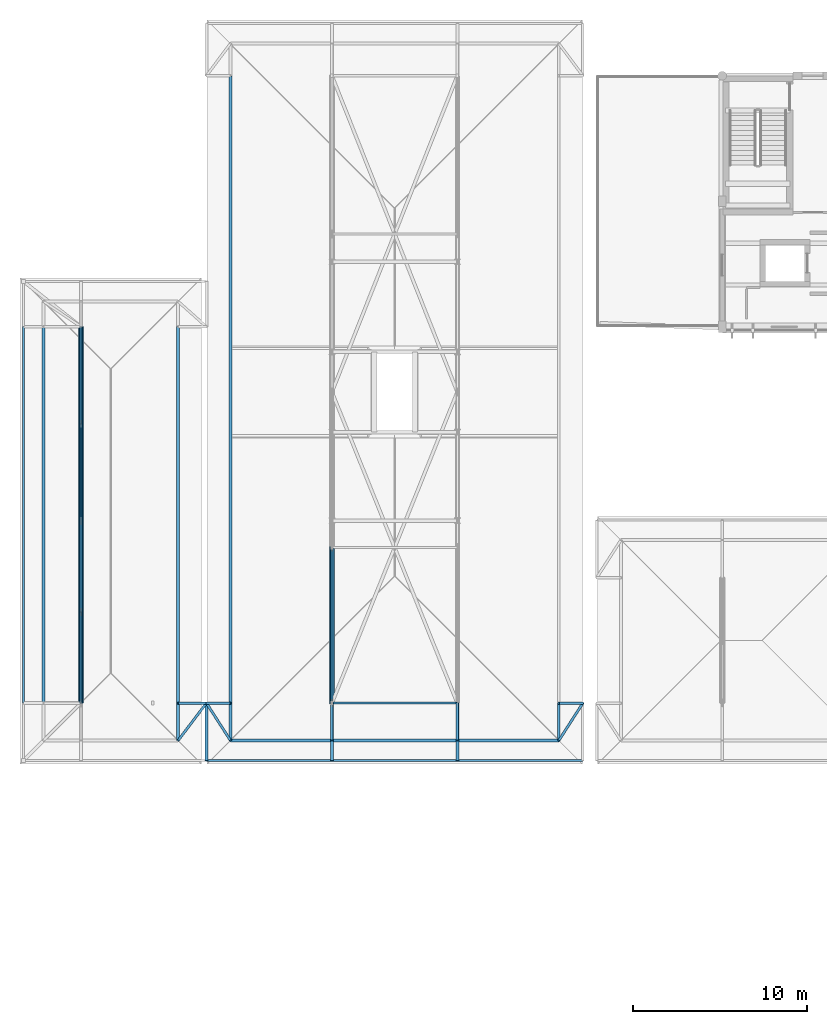
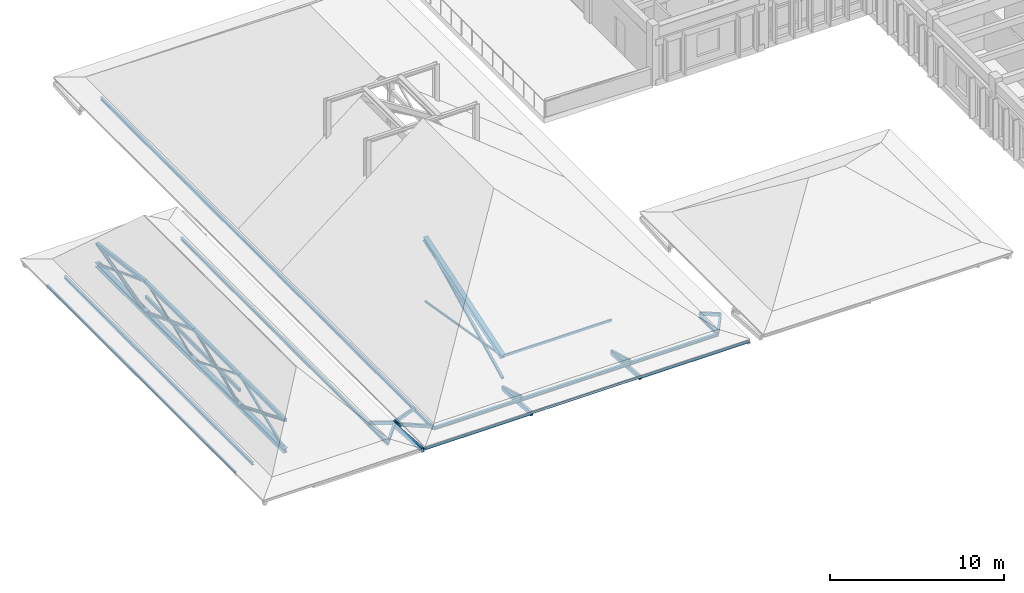
# One storey, part 2 of 51: 41 members, 1 beam.
"""IFC4 building model written with IfcOpenShell, lengths in metres."""

from ifc_helpers import new_model, si_unit, direction, frame, origin, origin_2d, place, context, subcontext, project, spatial, rectangle, hollow_rectangle, hollow_circle, i_section, extrude, material, material_profile, profile_set, type_object, element, save


model = new_model("IFC4")

# Units and contexts
model_context = context("Model", 3, precision=1e-05, world=origin(), true_north=direction((0.0, 1.0)))
body_context = subcontext(model_context, "Body", "Model", "MODEL_VIEW")
ifc_project = project(units=[si_unit("LENGTHUNIT", "METRE"), si_unit("AREAUNIT", "SQUARE_METRE"), si_unit("VOLUMEUNIT", "CUBIC_METRE"), si_unit("PLANEANGLEUNIT", "RADIAN"), si_unit("MASSUNIT", "GRAM", prefix="KILO")], contexts=[model_context])

# Site, building, storey
site_placement = place(None, origin())
site = spatial("IfcSite", under=ifc_project, at=site_placement, CompositionType="ELEMENT")
building_placement = place(site_placement, origin())
building = spatial("IfcBuilding", under=site, at=building_placement, Name="Steenspoor Specialist Clinic", CompositionType="ELEMENT")
storey_placement = place(building_placement, frame((0.0, 0.0, 17.39990234375)))
storey = spatial("IfcBuildingStorey", under=building, at=storey_placement, Name="L04", CompositionType="ELEMENT", Elevation=17.39990234375)

# Beam
ifc_material_1 = material(Name="Steel A992 Grade 50", Category="steel")
ifc_material_profile_1 = material_profile(ifc_material_1, i_section(OverallWidth=0.304931640625, OverallDepth=0.30810546875, WebThickness=0.010009765625, FlangeThickness=0.015380859375, at=origin_2d()), Name="W310X97")
ifc_profile_set_1 = profile_set([ifc_material_profile_1], Name="Steel A992 Grade 50")
beam_type = type_object("IfcBeamType", Name="BM-ST-W310X97", PredefinedType="BEAM", material=ifc_profile_set_1)
beam_placement = place(storey_placement, frame((22.800048828125, 72.35009765625, 0.174072265625), z_axis=(0.0, 1.0, 0.0), x_axis=(-1.0, 0.0, 0.0)))
element("IfcBeam", 1, at=beam_placement, inside=storey, type_object=beam_type, Name="ROOF TRUSS Bottom Tie Chord V5W 1", PredefinedType="BEAM", context=body_context, shape_type="SweptSolid", body=[
    extrude(i_section(OverallWidth=0.304931640625, OverallDepth=0.30810546875, WebThickness=0.010009765625, FlangeThickness=0.015380859375, at=origin_2d()), origin(), (0.0, 0.0, 1.0), 21.599853515625),
])

# Members
ifc_material_2 = material(Name="Steel A500 Grade C", Category="steel")
ifc_material_profile_2 = material_profile(ifc_material_2, hollow_circle(Radius=0.084228515625, WallThickness=0.007080078125, at=origin_2d()), Name="CHS168X7.1")
ifc_profile_set_2 = profile_set([ifc_material_profile_2], Name="Steel A500 Grade C")
member_type_1 = type_object("IfcMemberType", Name="MEM-BRACE-CHS168", PredefinedType="BRACE", material=ifc_profile_set_2)
member_1_placement = place(storey_placement, frame((22.800048828125, 77.574951171875, 0.174072265625), z_axis=(0.0, 0.92582509372, 0.377952240156), x_axis=(-1.0, 0.0, 0.0)))
element("IfcMember", 2, at=member_1_placement, inside=storey, type_object=member_type_1, Name="ROOF TRUSS Web Brace V5W 1.2", PredefinedType="BRACE", context=body_context, shape_type="SweptSolid", body=[
    extrude(hollow_circle(Radius=0.084228515625, WallThickness=0.007080078125, at=origin_2d()), origin(), (0.0, 0.0, 1.0), 5.643798828125),
])
ifc_material_profile_3 = material_profile(ifc_material_2, hollow_rectangle(XDim=0.126953125, YDim=0.126953125, WallThickness=0.0087890625, at=origin_2d()), Name="HSS127X127X9.5")
ifc_profile_set_3 = profile_set([ifc_material_profile_3], Name="Steel A500 Grade C")
member_type_2 = type_object("IfcMemberType", Name="MEM-BRACE-H127A", PredefinedType="BRACE", material=ifc_profile_set_3)
member_2_placement = place(storey_placement, frame((22.800048828125, 88.375, 2.30712890625), z_axis=(0.0, 0.933970348456, -0.357350511691), x_axis=(-1.0, 0.0, 0.0)))
element("IfcMember", 3, at=member_2_placement, inside=storey, type_object=member_type_2, Name="ROOF TRUSS Web Brace V5W 1.4", PredefinedType="BRACE", context=body_context, shape_type="SweptSolid", body=[
    extrude(hollow_rectangle(XDim=0.126953125, YDim=0.126953125, WallThickness=0.0087890625, at=origin_2d()), origin(), (0.0, 0.0, 1.0), 5.968994140625),
])
ifc_material_profile_4 = material_profile(ifc_material_2, hollow_rectangle(XDim=0.126953125, YDim=0.126953125, WallThickness=0.005859375, at=origin_2d()), Name="HSS127X127X6.4")
ifc_profile_set_4 = profile_set([ifc_material_profile_4], Name="Steel A500 Grade C")
member_type_3 = type_object("IfcMemberType", Name="MEM-BRACE-H127B", PredefinedType="BRACE", material=ifc_profile_set_4)
member_3_placement = place(storey_placement, frame((22.800048828125, 72.35009765625, 0.174072265625), z_axis=(0.0, 0.925818913918, 0.377967377735), x_axis=(-1.0, 0.0, 0.0)))
element("IfcMember", 4, at=member_3_placement, inside=storey, type_object=member_type_3, Name="ROOF TRUSS Web Brace V5W 1.1", PredefinedType="BRACE", context=body_context, shape_type="SweptSolid", body=[
    extrude(hollow_rectangle(XDim=0.126953125, YDim=0.126953125, WallThickness=0.005859375, at=origin_2d()), origin(), (0.0, 0.0, 1.0), 5.6435546875),
])
ifc_material_profile_5 = material_profile(ifc_material_2, hollow_rectangle(XDim=0.15234375, YDim=0.15234375, WallThickness=0.0087890625, at=origin_2d()), Name="HSS152X152X9.5")
ifc_profile_set_5 = profile_set([ifc_material_profile_5], Name="Steel A500 Grade C")
member_type_4 = type_object("IfcMemberType", Name="MEM-BRACE-H152", PredefinedType="BRACE", material=ifc_profile_set_5)
member_4_placement = place(storey_placement, frame((37.199951171875, 72.35009765625, 0.196533203125), z_axis=(0.0, 0.895551262337, 0.444958353699), x_axis=(-1.0, 0.0, 0.0)))
element("IfcMember", 5, at=member_4_placement, inside=storey, type_object=member_type_4, Name="ROOF TRUSS Web Brace V5 2.1", PredefinedType="BRACE", context=body_context, shape_type="SweptSolid", body=[
    extrude(hollow_rectangle(XDim=0.15234375, YDim=0.15234375, WallThickness=0.0087890625, at=origin_2d()), origin(), (0.0, 0.0, 1.0), 9.9658203125),
])
member_5_placement = place(storey_placement, frame((22.800048828125, 82.800048828125, 2.30712890625), z_axis=(0.0, 0.933970348456, -0.357350511691), x_axis=(-1.0, 0.0, 0.0)))
element("IfcMember", 6, at=member_5_placement, inside=storey, type_object=member_type_4, Name="ROOF TRUSS Web Brace V5W 1.3", PredefinedType="BRACE", context=body_context, shape_type="SweptSolid", body=[
    extrude(hollow_rectangle(XDim=0.15234375, YDim=0.15234375, WallThickness=0.0087890625, at=origin_2d()), origin(), (0.0, 0.0, 1.0), 5.968994140625),
])
ifc_material_profile_6 = material_profile(ifc_material_2, hollow_rectangle(XDim=0.203125, YDim=0.203125, WallThickness=0.01171875, at=origin_2d()), Name="HSS203X203X12.7")
ifc_profile_set_6 = profile_set([ifc_material_profile_6], Name="Steel A500 Grade C")
member_type_5 = type_object("IfcMemberType", Name="MEM-CHORD-H203", PredefinedType="CHORD", material=ifc_profile_set_6)
member_6_placement = place(storey_placement, frame((22.800048828125, 72.35009765625, 2.30712890625), z_axis=(0.0, 1.0, 0.0), x_axis=(-1.0, 0.0, 0.0)))
element("IfcMember", 7, at=member_6_placement, inside=storey, type_object=member_type_5, Name="ROOF TRUSS Top Chord V5W 1.1", PredefinedType="CHORD", context=body_context, shape_type="SweptSolid", body=[
    extrude(hollow_rectangle(XDim=0.203125, YDim=0.203125, WallThickness=0.01171875, at=origin_2d()), origin(), (0.0, 0.0, 1.0), 5.224853515625),
])
member_7_placement = place(storey_placement, frame((22.800048828125, 77.574951171875, 2.30712890625), z_axis=(0.0, 1.0, 0.0), x_axis=(-1.0, 0.0, 0.0)))
element("IfcMember", 8, at=member_7_placement, inside=storey, type_object=member_type_5, Name="ROOF TRUSS Top Chord V5W 1.2", PredefinedType="CHORD", context=body_context, shape_type="SweptSolid", body=[
    extrude(hollow_rectangle(XDim=0.203125, YDim=0.203125, WallThickness=0.01171875, at=origin_2d()), origin(), (0.0, 0.0, 1.0), 5.22509765625),
])
member_8_placement = place(storey_placement, frame((22.800048828125, 82.800048828125, 2.30712890625), z_axis=(0.0, 1.0, 0.0), x_axis=(-1.0, 0.0, 0.0)))
element("IfcMember", 9, at=member_8_placement, inside=storey, type_object=member_type_5, Name="ROOF TRUSS Top Chord V5W 1.3", PredefinedType="CHORD", context=body_context, shape_type="SweptSolid", body=[
    extrude(hollow_rectangle(XDim=0.203125, YDim=0.203125, WallThickness=0.01171875, at=origin_2d()), origin(), (0.0, 0.0, 1.0), 5.574951171875),
])
member_9_placement = place(storey_placement, frame((22.800048828125, 88.375, 2.30712890625), z_axis=(0.0, 0.991378915718, -0.131026125143), x_axis=(-1.0, 0.0, 0.0)))
element("IfcMember", 10, at=member_9_placement, inside=storey, type_object=member_type_5, Name="ROOF TRUSS Top Chord V5W 1.4", PredefinedType="CHORD", context=body_context, shape_type="SweptSolid", body=[
    extrude(hollow_rectangle(XDim=0.203125, YDim=0.203125, WallThickness=0.01171875, at=origin_2d()), origin(), (0.0, 0.0, 1.0), 5.62353515625),
])
ifc_material_profile_7 = material_profile(ifc_material_1, i_section(OverallWidth=0.304931640625, OverallDepth=0.30810546875, WebThickness=0.010009765625, FlangeThickness=0.015380859375, at=origin_2d()), Name="W310X97")
ifc_profile_set_7 = profile_set([ifc_material_profile_7], Name="Steel A992 Grade 50")
member_type_6 = type_object("IfcMemberType", Name="MEM-CHORD-W310", PredefinedType="CHORD", material=ifc_profile_set_7)
member_10_placement = place(storey_placement, frame((37.199951171875, 72.35009765625, 1.72314453125), z_axis=(0.0, 0.950809803425, 0.30977526969), x_axis=(-1.0, 0.0, 0.0)))
element("IfcMember", 11, at=member_10_placement, inside=storey, type_object=member_type_6, Name="ROOF TRUSS Top Chord V5 2.1", PredefinedType="CHORD", context=body_context, shape_type="SweptSolid", body=[
    extrude(i_section(OverallWidth=0.304931640625, OverallDepth=0.30810546875, WebThickness=0.010009765625, FlangeThickness=0.015380859375, at=origin_2d()), origin(), (0.0, 0.0, 1.0), 9.386474609375),
])
ifc_material_profile_8 = material_profile(ifc_material_2, hollow_rectangle(XDim=0.1015625, YDim=0.15234375, WallThickness=0.005859375, at=origin_2d()), Name="HSS152X102X6.4")
ifc_profile_set_8 = profile_set([ifc_material_profile_8], Name="Steel A500 Grade C")
member_type_7 = type_object("IfcMemberType", Name="MEM-PURLIN-H152", PredefinedType="PURLIN", material=ifc_profile_set_8)
for number, where, z_axis, x_axis, name in (
    (12, (30.0, 69.050048828125, -0.2431640625), (1.0, 0.0, 0.0), (0.0, 1.0, 0.0), "ROOF TRUSS Eave Fascia 425"),
    (13, (37.199951171875, 69.050048828125, -0.19482421875), (1.0, 0.0, 0.0), (0.0, 1.0, 0.0), "ROOF TRUSS Eave Fascia 426"),
):
    element("IfcMember", number, at=place(storey_placement, frame(where, z_axis=z_axis, x_axis=x_axis)), inside=storey, type_object=member_type_7, Name=name, PredefinedType="PURLIN", context=body_context, shape_type="SweptSolid", body=[
        extrude(hollow_rectangle(XDim=0.1015625, YDim=0.15234375, WallThickness=0.005859375, at=origin_2d()), origin(), (0.0, 0.0, 1.0), 7.199951171875),
    ])
member_11_placement = place(storey_placement, frame((44.39990234375, 69.050048828125, -0.2431640625), z_axis=(1.0, 0.0, 0.0), x_axis=(0.0, 1.0, 0.0)))
element("IfcMember", 14, at=member_11_placement, inside=storey, type_object=member_type_7, Name="ROOF TRUSS Eave Fascia 427", PredefinedType="PURLIN", context=body_context, shape_type="SweptSolid", body=[
    extrude(hollow_rectangle(XDim=0.1015625, YDim=0.15234375, WallThickness=0.005859375, at=origin_2d()), origin(), (0.0, 0.0, 1.0), 7.2001953125),
])
member_12_placement = place(storey_placement, frame((37.199951171875, 72.35009765625, 1.767578125), z_axis=(1.0, 0.0, 0.0), x_axis=(0.0, 1.0, 0.0)))
element("IfcMember", 15, at=member_12_placement, inside=storey, type_object=member_type_7, Name="ROOF TRUSS Purlin 443", PredefinedType="PURLIN", context=body_context, shape_type="SweptSolid", body=[
    extrude(hollow_rectangle(XDim=0.1015625, YDim=0.15234375, WallThickness=0.005859375, at=origin_2d()), origin(), (0.0, 0.0, 1.0), 7.199951171875),
])
member_13_placement = place(storey_placement, frame((19.5, 72.35009765625, -0.19482421875), z_axis=(0.0, 1.0, 0.0), x_axis=(-1.0, 0.0, 0.0)))
element("IfcMember", 16, at=member_13_placement, inside=storey, type_object=member_type_7, Name="ROOF TRUSS Eave Fascia 456", PredefinedType="PURLIN", context=body_context, shape_type="SweptSolid", body=[
    extrude(hollow_rectangle(XDim=0.1015625, YDim=0.15234375, WallThickness=0.005859375, at=origin_2d()), origin(), (0.0, 0.0, 1.0), 21.599853515625),
])
ifc_material_profile_9 = material_profile(ifc_material_1, i_section(OverallWidth=0.1650390625, OverallDepth=0.200927734375, WebThickness=0.006103515625, FlangeThickness=0.01025390625, at=origin_2d()), Name="W200X36")
ifc_profile_set_9 = profile_set([ifc_material_profile_9], Name="Steel A992 Grade 50")
member_type_8 = type_object("IfcMemberType", Name="MEM-PURLIN-W200", PredefinedType="PURLIN", material=ifc_profile_set_9)
member_14_placement = place(storey_placement, frame((31.3798828125, 70.199951171875, 0.041748046875), z_axis=(1.0, 0.0, 0.0), x_axis=(0.0, 1.0, 0.0)))
element("IfcMember", 17, at=member_14_placement, inside=storey, type_object=member_type_8, Name="ROOF TRUSS Knuckle Purlin 431", PredefinedType="PURLIN", context=body_context, shape_type="SweptSolid", body=[
    extrude(i_section(OverallWidth=0.1650390625, OverallDepth=0.200927734375, WebThickness=0.006103515625, FlangeThickness=0.01025390625, at=origin_2d()), origin(), (0.0, 0.0, 1.0), 5.820068359375),
])
member_15_placement = place(storey_placement, frame((37.199951171875, 70.199951171875, 0.041748046875), z_axis=(1.0, 0.0, 0.0), x_axis=(0.0, 1.0, 0.0)))
element("IfcMember", 18, at=member_15_placement, inside=storey, type_object=member_type_8, Name="ROOF TRUSS Knuckle Purlin 433", PredefinedType="PURLIN", context=body_context, shape_type="SweptSolid", body=[
    extrude(i_section(OverallWidth=0.1650390625, OverallDepth=0.200927734375, WebThickness=0.006103515625, FlangeThickness=0.01025390625, at=origin_2d()), origin(), (0.0, 0.0, 1.0), 7.199951171875),
])
member_16_placement = place(storey_placement, frame((44.39990234375, 70.199951171875, 0.041748046875), z_axis=(1.0, 0.0, 0.0), x_axis=(0.0, 1.0, 0.0)))
element("IfcMember", 19, at=member_16_placement, inside=storey, type_object=member_type_8, Name="ROOF TRUSS Knuckle Purlin 435", PredefinedType="PURLIN", context=body_context, shape_type="SweptSolid", body=[
    extrude(i_section(OverallWidth=0.1650390625, OverallDepth=0.200927734375, WebThickness=0.006103515625, FlangeThickness=0.01025390625, at=origin_2d()), origin(), (0.0, 0.0, 1.0), 5.820068359375),
])
member_17_placement = place(storey_placement, frame((31.3798828125, 70.199951171875, 0.041748046875), z_axis=(0.0, 1.0, 0.0), x_axis=(-1.0, 0.0, 0.0)))
element("IfcMember", 20, at=member_17_placement, inside=storey, type_object=member_type_8, Name="ROOF TRUSS Knuckle Purlin 437", PredefinedType="PURLIN", context=body_context, shape_type="SweptSolid", body=[
    extrude(i_section(OverallWidth=0.1650390625, OverallDepth=0.200927734375, WebThickness=0.006103515625, FlangeThickness=0.01025390625, at=origin_2d()), origin(), (0.0, 0.0, 1.0), 2.150146484375),
])
member_18_placement = place(storey_placement, frame((31.3798828125, 72.35009765625, 0.041748046875), z_axis=(0.0, 1.0, 0.0), x_axis=(-1.0, 0.0, 0.0)))
element("IfcMember", 21, at=member_18_placement, inside=storey, type_object=member_type_8, Name="ROOF TRUSS Knuckle Purlin 438", PredefinedType="PURLIN", context=body_context, shape_type="SweptSolid", body=[
    extrude(i_section(OverallWidth=0.1650390625, OverallDepth=0.200927734375, WebThickness=0.006103515625, FlangeThickness=0.01025390625, at=origin_2d()), origin(), (0.0, 0.0, 1.0), 36.0),
])
member_19_placement = place(storey_placement, frame((50.219970703125, 70.199951171875, 0.041748046875), z_axis=(0.0, 1.0, 0.0), x_axis=(-1.0, 0.0, 0.0)))
element("IfcMember", 22, at=member_19_placement, inside=storey, type_object=member_type_8, Name="ROOF TRUSS Knuckle Purlin 440", PredefinedType="PURLIN", context=body_context, shape_type="SweptSolid", body=[
    extrude(i_section(OverallWidth=0.1650390625, OverallDepth=0.200927734375, WebThickness=0.006103515625, FlangeThickness=0.01025390625, at=origin_2d()), origin(), (0.0, 0.0, 1.0), 2.150146484375),
])
member_20_placement = place(storey_placement, frame((20.64990234375, 72.35009765625, 0.015380859375), z_axis=(0.0, 1.0, 0.0), x_axis=(-1.0, 0.0, 0.0)))
element("IfcMember", 23, at=member_20_placement, inside=storey, type_object=member_type_8, Name="ROOF TRUSS Knuckle Purlin 463", PredefinedType="PURLIN", context=body_context, shape_type="SweptSolid", body=[
    extrude(i_section(OverallWidth=0.1650390625, OverallDepth=0.200927734375, WebThickness=0.006103515625, FlangeThickness=0.01025390625, at=origin_2d()), origin(), (0.0, 0.0, 1.0), 21.599853515625),
])
member_21_placement = place(storey_placement, frame((28.3701171875, 70.199951171875, 0.015380859375), z_axis=(0.0, 1.0, 0.0), x_axis=(-1.0, 0.0, 0.0)))
element("IfcMember", 24, at=member_21_placement, inside=storey, type_object=member_type_8, Name="ROOF TRUSS Knuckle Purlin 465", PredefinedType="PURLIN", context=body_context, shape_type="SweptSolid", body=[
    extrude(i_section(OverallWidth=0.1650390625, OverallDepth=0.200927734375, WebThickness=0.006103515625, FlangeThickness=0.01025390625, at=origin_2d()), origin(), (0.0, 0.0, 1.0), 2.150146484375),
])
member_22_placement = place(storey_placement, frame((28.3701171875, 72.35009765625, 0.015380859375), z_axis=(0.0, 1.0, 0.0), x_axis=(-1.0, 0.0, 0.0)))
element("IfcMember", 25, at=member_22_placement, inside=storey, type_object=member_type_8, Name="ROOF TRUSS Knuckle Purlin 466", PredefinedType="PURLIN", context=body_context, shape_type="SweptSolid", body=[
    extrude(i_section(OverallWidth=0.1650390625, OverallDepth=0.200927734375, WebThickness=0.006103515625, FlangeThickness=0.01025390625, at=origin_2d()), origin(), (0.0, 0.0, 1.0), 21.599853515625),
])
ifc_material_3 = material(Name="Glulam GL28h", Category="wood")
ifc_material_profile_10 = material_profile(ifc_material_3, rectangle(XDim=0.139892578125, YDim=0.219970703125, at=origin_2d()), Name="GL28H-140X220")
ifc_profile_set_10 = profile_set([ifc_material_profile_10], Name="Glulam GL28h")
member_type_9 = type_object("IfcMemberType", Name="MEM-RAFTER-GL220", PredefinedType="RAFTER", material=ifc_profile_set_10)
for number, where, z_axis, x_axis, name in (
    (26, (37.199951171875, 72.35009765625, -0.43115234375), (0.0, -0.96227893733, 0.272064784143), (1.0, 0.0, 0.0), "ROOF TRUSS Knuckle Rafter V5 275"),
    (27, (44.39990234375, 72.35009765625, -0.43115234375), (0.0, -0.96227893733, 0.272064784143), (1.0, 0.0, 0.0), "ROOF TRUSS Knuckle Rafter V5 279"),
):
    element("IfcMember", number, at=place(storey_placement, frame(where, z_axis=z_axis, x_axis=x_axis)), inside=storey, type_object=member_type_9, Name=name, PredefinedType="RAFTER", context=body_context, shape_type="SweptSolid", body=[
        extrude(rectangle(XDim=0.139892578125, YDim=0.219970703125, at=origin_2d()), origin(), (0.0, 0.0, 1.0), 2.234375),
    ])
member_23_placement = place(storey_placement, frame((30.0, 72.35009765625, -0.358154296875), z_axis=(0.932394214895, 0.0, 0.361442980332), x_axis=(0.0, 1.0, 0.0)))
element("IfcMember", 28, at=member_23_placement, inside=storey, type_object=member_type_9, Name="ROOF TRUSS Knuckle Rafter V5 284", PredefinedType="RAFTER", context=body_context, shape_type="SweptSolid", body=[
    extrude(rectangle(XDim=0.139892578125, YDim=0.219970703125, at=origin_2d()), origin(), (0.0, 0.0, 1.0), 1.47998046875),
])
member_24_placement = place(storey_placement, frame((51.60009765625, 72.35009765625, -0.358154296875), z_axis=(-0.932415761399, 0.0, 0.361387393105), x_axis=(0.0, -1.0, 0.0)))
element("IfcMember", 29, at=member_24_placement, inside=storey, type_object=member_type_9, Name="ROOF TRUSS Knuckle Rafter V5 286", PredefinedType="RAFTER", context=body_context, shape_type="SweptSolid", body=[
    extrude(rectangle(XDim=0.139892578125, YDim=0.219970703125, at=origin_2d()), origin(), (0.0, 0.0, 1.0), 1.480224609375),
])
for number, where, z_axis, x_axis, name in (
    (30, (30.0, 72.35009765625, -0.46923828125), (0.523625959231, -0.815918935411, 0.245136993653), (0.841597375976, 0.540105412628, 0.0), "ROOF TRUSS Corner Knuckle Rafter V5 288"),
    (31, (51.60009765625, 72.35009765625, -0.46923828125), (-0.523693197088, -0.815879353751, 0.245125101626), (0.841553938551, -0.540173091249, 0.0), "ROOF TRUSS Corner Knuckle Rafter V5 290"),
):
    element("IfcMember", number, at=place(storey_placement, frame(where, z_axis=z_axis, x_axis=x_axis)), inside=storey, type_object=member_type_9, Name=name, PredefinedType="RAFTER", context=body_context, shape_type="SweptSolid", body=[
        extrude(rectangle(XDim=0.139892578125, YDim=0.219970703125, at=origin_2d()), origin(), (0.0, 0.0, 1.0), 2.63525390625),
    ])
member_25_placement = place(storey_placement, frame((30.0, 72.35009765625, -0.384521484375), z_axis=(-0.945506853672, 0.0, 0.325602195415), x_axis=(0.0, -1.0, 0.0)))
element("IfcMember", 32, at=member_25_placement, inside=storey, type_object=member_type_9, Name="ROOF TRUSS Knuckle Rafter V5W 301", PredefinedType="RAFTER", context=body_context, shape_type="SweptSolid", body=[
    extrude(rectangle(XDim=0.139892578125, YDim=0.219970703125, at=origin_2d()), origin(), (0.0, 0.0, 1.0), 1.723876953125),
])
member_26_placement = place(storey_placement, frame((30.0, 72.35009765625, -0.5), z_axis=(-0.585938273192, -0.772971595566, 0.243292524459), x_axis=(0.796916578679, -0.604089369735, 0.0)))
element("IfcMember", 33, at=member_26_placement, inside=storey, type_object=member_type_9, Name="ROOF TRUSS Corner Knuckle Rafter V5W 307", PredefinedType="RAFTER", context=body_context, shape_type="SweptSolid", body=[
    extrude(rectangle(XDim=0.139892578125, YDim=0.219970703125, at=origin_2d()), origin(), (0.0, 0.0, 1.0), 2.78173828125),
])
member_27_placement = place(storey_placement, frame((22.800048828125, 77.574951171875, 1.240234375), z_axis=(0.0, 1.0, 0.0), x_axis=(-1.0, 0.0, 0.0)))
element("IfcMember", 34, at=member_27_placement, inside=storey, type_object=member_type_9, Name="ROOF TRUSS Glulam Collar Rafter V5W 1", PredefinedType="RAFTER", context=body_context, shape_type="SweptSolid", body=[
    extrude(rectangle(XDim=0.139892578125, YDim=0.219970703125, at=origin_2d()), origin(), (0.0, 0.0, 1.0), 10.800048828125),
])
ifc_material_profile_11 = material_profile(ifc_material_3, rectangle(XDim=0.159912109375, YDim=0.280029296875, at=origin_2d()), Name="GL28H-160X280")
ifc_profile_set_11 = profile_set([ifc_material_profile_11], Name="Glulam GL28h")
member_type_10 = type_object("IfcMemberType", Name="MEM-RAFTER-GL280", PredefinedType="RAFTER", material=ifc_profile_set_11)
for number, where, z_axis, x_axis, name in (
    (35, (30.0, 72.35009765625, -0.5400390625), (0.0, -0.997513468668, 0.070476093999), (1.0, 0.0, 0.0), "ROOF TRUSS Flared Eave Glulam Outrigger V5 272"),
    (36, (37.199951171875, 72.35009765625, -0.5), (0.0, -0.997513468668, 0.070476093999), (1.0, 0.0, 0.0), "ROOF TRUSS Flared Eave Glulam Outrigger V5 274"),
    (37, (44.39990234375, 72.35009765625, -0.5), (0.0, -0.997513468668, 0.070476093999), (1.0, 0.0, 0.0), "ROOF TRUSS Flared Eave Glulam Outrigger V5 278"),
):
    element("IfcMember", number, at=place(storey_placement, frame(where, z_axis=z_axis, x_axis=x_axis)), inside=storey, type_object=member_type_10, Name=name, PredefinedType="RAFTER", context=body_context, shape_type="SweptSolid", body=[
        extrude(rectangle(XDim=0.159912109375, YDim=0.280029296875, at=origin_2d()), origin(), (0.0, 0.0, 1.0), 3.308349609375),
    ])
ifc_material_profile_12 = material_profile(ifc_material_2, hollow_circle(Radius=0.05712890625, WallThickness=0.006103515625, at=origin_2d()), Name="CHS114X6.0")
ifc_profile_set_12 = profile_set([ifc_material_profile_12], Name="Steel A500 Grade C")
member_type_11 = type_object("IfcMemberType", Name="MEM-STRUT-CHS114", PredefinedType="STRUT", material=ifc_profile_set_12)
member_28_placement = place(storey_placement, frame((22.800048828125, 82.800048828125, 0.174072265625), z_axis=(0.0, 0.933970348456, 0.357350511691), x_axis=(-1.0, 0.0, 0.0)))
element("IfcMember", 38, at=member_28_placement, inside=storey, type_object=member_type_11, Name="ROOF TRUSS Web Strut V5W 1.3", PredefinedType="STRUT", context=body_context, shape_type="SweptSolid", body=[
    extrude(hollow_circle(Radius=0.05712890625, WallThickness=0.006103515625, at=origin_2d()), origin(), (0.0, 0.0, 1.0), 5.968994140625),
])
ifc_material_profile_13 = material_profile(ifc_material_2, hollow_circle(Radius=0.109619140625, WallThickness=0.00830078125, at=origin_2d()), Name="CHS219X8.2")
ifc_profile_set_13 = profile_set([ifc_material_profile_13], Name="Steel A500 Grade C")
member_type_12 = type_object("IfcMemberType", Name="MEM-STRUT-CHS219", PredefinedType="STRUT", material=ifc_profile_set_13)
member_29_placement = place(storey_placement, frame((22.800048828125, 72.35009765625, 2.30712890625), z_axis=(0.0, 0.925818913918, -0.377967377735), x_axis=(-1.0, 0.0, 0.0)))
element("IfcMember", 39, at=member_29_placement, inside=storey, type_object=member_type_12, Name="ROOF TRUSS Web Strut V5W 1.1", PredefinedType="STRUT", context=body_context, shape_type="SweptSolid", body=[
    extrude(hollow_circle(Radius=0.109619140625, WallThickness=0.00830078125, at=origin_2d()), origin(), (0.0, 0.0, 1.0), 5.6435546875),
])
member_30_placement = place(storey_placement, frame((22.800048828125, 88.375, 0.174072265625), z_axis=(0.0, 0.970039960856, 0.242945414326), x_axis=(-1.0, 0.0, 0.0)))
element("IfcMember", 40, at=member_30_placement, inside=storey, type_object=member_type_12, Name="ROOF TRUSS Web Strut V5W 1.4", PredefinedType="STRUT", context=body_context, shape_type="SweptSolid", body=[
    extrude(hollow_circle(Radius=0.109619140625, WallThickness=0.00830078125, at=origin_2d()), origin(), (0.0, 0.0, 1.0), 5.7470703125),
])
ifc_material_profile_14 = material_profile(ifc_material_2, hollow_rectangle(XDim=0.1015625, YDim=0.1015625, WallThickness=0.005859375, at=origin_2d()), Name="HSS102X102X6.4")
ifc_profile_set_14 = profile_set([ifc_material_profile_14], Name="Steel A500 Grade C")
member_type_13 = type_object("IfcMemberType", Name="MEM-STRUT-H102", PredefinedType="STRUT", material=ifc_profile_set_14)
member_31_placement = place(storey_placement, frame((37.199951171875, 72.35009765625, 1.72314453125), z_axis=(0.0, 0.985683899742, -0.168603824956), x_axis=(-1.0, 0.0, 0.0)))
element("IfcMember", 41, at=member_31_placement, inside=storey, type_object=member_type_13, Name="ROOF TRUSS Web Strut V5 2.1", PredefinedType="STRUT", context=body_context, shape_type="SweptSolid", body=[
    extrude(hollow_rectangle(XDim=0.1015625, YDim=0.1015625, WallThickness=0.005859375, at=origin_2d()), origin(), (0.0, 0.0, 1.0), 9.054443359375),
])
member_32_placement = place(storey_placement, frame((22.800048828125, 77.574951171875, 2.30712890625), z_axis=(0.0, 0.92582509372, -0.377952240156), x_axis=(-1.0, 0.0, 0.0)))
element("IfcMember", 42, at=member_32_placement, inside=storey, type_object=member_type_13, Name="ROOF TRUSS Web Strut V5W 1.2", PredefinedType="STRUT", context=body_context, shape_type="SweptSolid", body=[
    extrude(hollow_rectangle(XDim=0.1015625, YDim=0.1015625, WallThickness=0.005859375, at=origin_2d()), origin(), (0.0, 0.0, 1.0), 5.643798828125),
])

save(model, "model.ifc")
